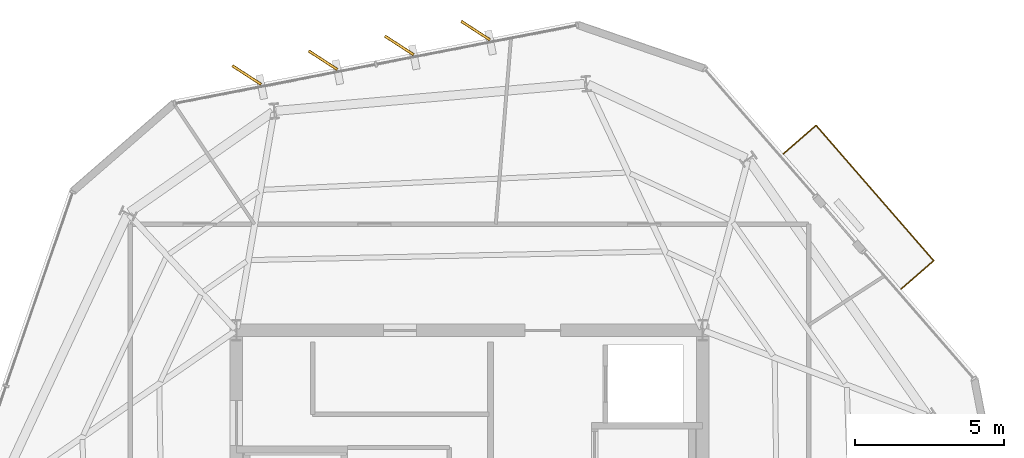
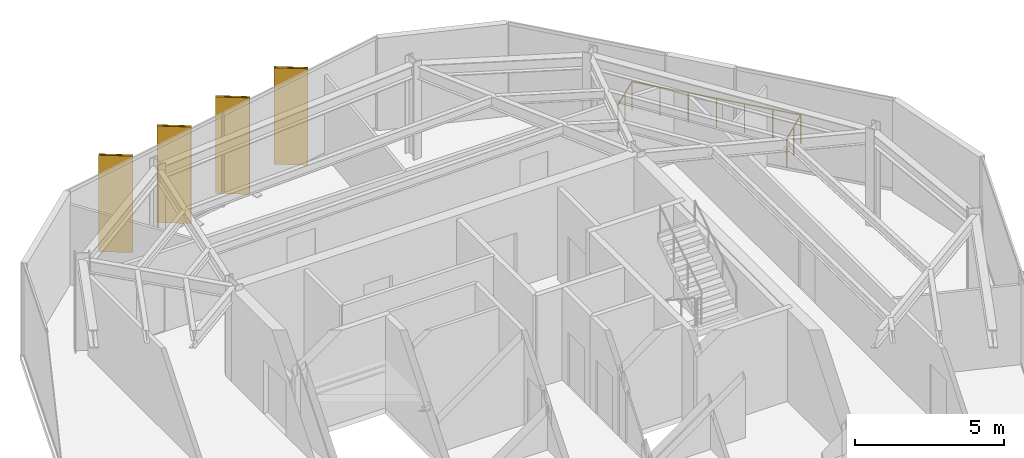
# One storey, part 10 of 10: 4 coverings, 4 shading devices, 1 railing.
"""IFC4 building model written with IfcOpenShell, lengths in metres."""

from ifc_helpers import new_model, si_unit, direction, frame, origin, origin_2d, place, context, subcontext, project, spatial, rectangle, circle, extrude, material, layer, layer_set, type_object, element, save


model = new_model("IFC4")

# Units and contexts
model_context = context("Model", 3, precision=1e-05, world=origin(), true_north=direction((0.0, 1.0)))
body_context = subcontext(model_context, "Body", "Model", "MODEL_VIEW")
ifc_project = project(units=[si_unit("LENGTHUNIT", "METRE"), si_unit("AREAUNIT", "SQUARE_METRE"), si_unit("VOLUMEUNIT", "CUBIC_METRE"), si_unit("PLANEANGLEUNIT", "RADIAN"), si_unit("MASSUNIT", "GRAM", prefix="KILO")], contexts=[model_context])

# Site, building, storey
site_placement = place(None, origin())
site = spatial("IfcSite", under=ifc_project, at=site_placement, CompositionType="ELEMENT")
building_placement = place(site_placement, origin())
building = spatial("IfcBuilding", under=site, at=building_placement, Name="Kranzbogen Civic Tower", CompositionType="ELEMENT")
storey_placement = place(building_placement, frame((0.0, 0.0, 310.199951171875)))
storey = spatial("IfcBuildingStorey", under=building, at=storey_placement, Name="L75", CompositionType="ELEMENT", Elevation=310.199951171875)

# Coverings
ifc_material_1 = material(Name="Pale Anodised Aluminium", Category="aluminium")
ifc_layer = layer(ifc_material_1, 0.02490234375, Name="Pale Anodised Aluminium")
ifc_layer_set = layer_set([ifc_layer], Name="Pale Anodised Aluminium")
covering_type = type_object("IfcCoveringType", Name="Anodised Aluminium Vertical Fin Cladding 25 mm", PredefinedType="CLADDING", material=ifc_layer_set)
for number, where, z_axis, x_axis, name in (
    (1, (25.202880859375, 42.22900390625, -0.139892578125), (0.0, 0.0, 1.0), (-0.838927129914, 0.544243760362, 0.0), "L75 vertical fin pale-metal cladding F1-1"),
    (2, (22.64990234375, 41.73291015625, -0.139892578125), (0.0, 0.0, 1.0), (-0.838927129914, 0.544243760362, 0.0), "L75 vertical fin pale-metal cladding F1-2"),
    (3, (20.097900390625, 41.237060546875, -0.139892578125), (0.0, 0.0, 1.0), (-0.838927129914, 0.544243760362, 0.0), "L75 vertical fin pale-metal cladding F1-3"),
    (4, (17.5458984375, 40.740966796875, -0.139892578125), (0.0, 0.0, 1.0), (-0.838927129914, 0.544243760362, 0.0), "L75 vertical fin pale-metal cladding F1-4"),
):
    element("IfcCovering", number, at=place(storey_placement, frame(where, z_axis=z_axis, x_axis=x_axis)), inside=storey, type_object=covering_type, Name=name, PredefinedType="CLADDING", context=body_context, shape_type="SweptSolid", body=[
        extrude(rectangle(XDim=1.14990234375, YDim=0.094970703125, at=origin_2d()), origin(), (0.0, 0.0, 1.0), 3.9599609375),
    ])

# Railing
ifc_material_2 = material(Name="Anodised Bronze Aluminium", Category="aluminium")
railing_type = type_object("IfcRailingType", Name="Cantilevered Balcony Glass and Bronze Balustrade 1200", PredefinedType="BALUSTRADE", material=ifc_material_2)
railing_placement = place(storey_placement, frame((39.43994140625, 33.576904296875, 0.0)))
element("IfcRailing", 5, at=railing_placement, inside=storey, type_object=railing_type, Name="L75 exterior terrace balustrade L75-TB2", PredefinedType="BALUSTRADE", context=body_context, shape_type="SweptSolid", body=[
    extrude(circle(Radius=0.02392578125, at=origin_2d()), frame((0.0, 0.0, 1.17578125), z_axis=(0.754649028152, 0.656128679688, 0.0), x_axis=(-0.656128679688, 0.754649028152, 0.0)), (0.0, 0.0, 1.0), 1.44970703125),
    extrude(circle(Radius=0.02392578125, at=origin_2d()), frame((1.093994140625, 0.951171875, 1.17578125), z_axis=(-0.656075968794, 0.754694854343, 0.0), x_axis=(-0.754694854343, -0.656075968794, 0.0)), (0.0, 0.0, 1.0), 6.000732421875),
    extrude(circle(Radius=0.02392578125, at=origin_2d()), frame((-2.843017578125, 5.47998046875, 1.17578125), z_axis=(-0.754732419377, -0.656032754625, 0.0), x_axis=(0.656032754625, -0.754732419377, 0.0)), (0.0, 0.0, 1.0), 1.449462890625),
    extrude(circle(Radius=0.02099609375, at=origin_2d()), origin(), (0.0, 0.0, 1.0), 1.15185546875),
    extrude(circle(Radius=0.02099609375, at=origin_2d()), frame((0.546875, 0.4755859375, 0.0)), (0.0, 0.0, 1.0), 1.15185546875),
    extrude(circle(Radius=0.02099609375, at=origin_2d()), frame((1.093994140625, 0.951171875, 0.0)), (0.0, 0.0, 1.0), 1.15185546875),
    extrude(circle(Radius=0.02099609375, at=origin_2d()), frame((0.437744140625, 1.7060546875, 0.0)), (0.0, 0.0, 1.0), 1.15185546875),
    extrude(circle(Radius=0.02099609375, at=origin_2d()), frame((-0.21826171875, 2.460693359375, 0.0)), (0.0, 0.0, 1.0), 1.15185546875),
    extrude(circle(Radius=0.02099609375, at=origin_2d()), frame((-0.87451171875, 3.215576171875, 0.0)), (0.0, 0.0, 1.0), 1.15185546875),
    extrude(circle(Radius=0.02099609375, at=origin_2d()), frame((-1.53076171875, 3.970458984375, 0.0)), (0.0, 0.0, 1.0), 1.15185546875),
    extrude(circle(Radius=0.02099609375, at=origin_2d()), frame((-2.186767578125, 4.72509765625, 0.0)), (0.0, 0.0, 1.0), 1.15185546875),
    extrude(circle(Radius=0.02099609375, at=origin_2d()), frame((-2.843017578125, 5.47998046875, 0.0)), (0.0, 0.0, 1.0), 1.15185546875),
    extrude(circle(Radius=0.02099609375, at=origin_2d()), frame((-3.39013671875, 5.00439453125, 0.0)), (0.0, 0.0, 1.0), 1.15185546875),
    extrude(circle(Radius=0.02099609375, at=origin_2d()), frame((-3.93701171875, 4.529052734375, 0.0)), (0.0, 0.0, 1.0), 1.15185546875),
])

# Shading devices
shading_device_type = type_object("IfcShadingDeviceType", Name="Pale Anodised Aluminium Crown Fin 1150x75", PredefinedType="USERDEFINED", material=ifc_material_1)
for number, where, z_axis, x_axis, name in (
    (6, (25.202880859375, 42.22900390625, -0.139892578125), (0.0, 0.0, 1.0), (-0.838927129914, 0.544243760362, 0.0), "L75 vertical exterior shading fin F1-1"),
    (7, (22.64990234375, 41.73291015625, -0.139892578125), (0.0, 0.0, 1.0), (-0.838927129914, 0.544243760362, 0.0), "L75 vertical exterior shading fin F1-2"),
    (8, (20.097900390625, 41.237060546875, -0.139892578125), (0.0, 0.0, 1.0), (-0.838927129914, 0.544243760362, 0.0), "L75 vertical exterior shading fin F1-3"),
    (9, (17.5458984375, 40.740966796875, -0.139892578125), (0.0, 0.0, 1.0), (-0.838927129914, 0.544243760362, 0.0), "L75 vertical exterior shading fin F1-4"),
):
    element("IfcShadingDevice", number, at=place(storey_placement, frame(where, z_axis=z_axis, x_axis=x_axis)), inside=storey, type_object=shading_device_type, Name=name, ObjectType="FIN", PredefinedType="USERDEFINED", context=body_context, shape_type="SweptSolid", body=[
        extrude(rectangle(XDim=1.14990234375, YDim=0.074951171875, at=origin_2d()), origin(), (0.0, 0.0, 1.0), 3.9599609375),
    ])

save(model, "model.ifc")
